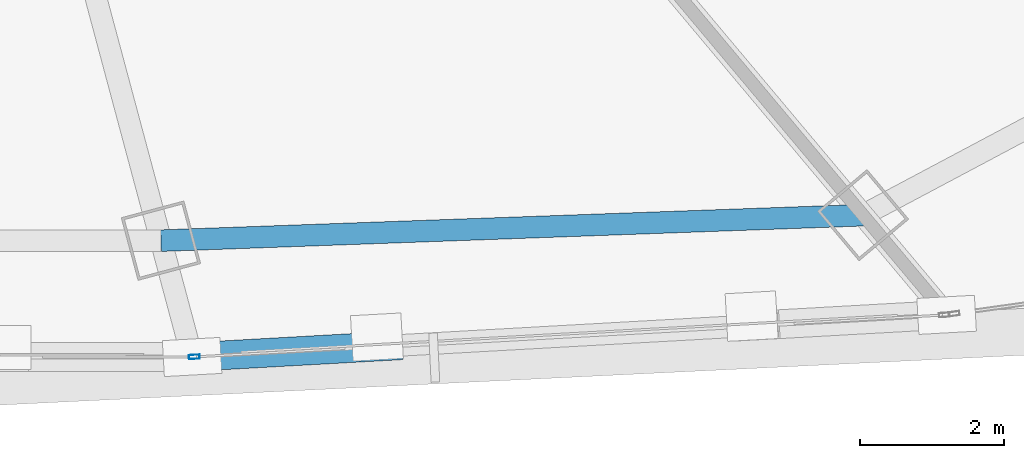
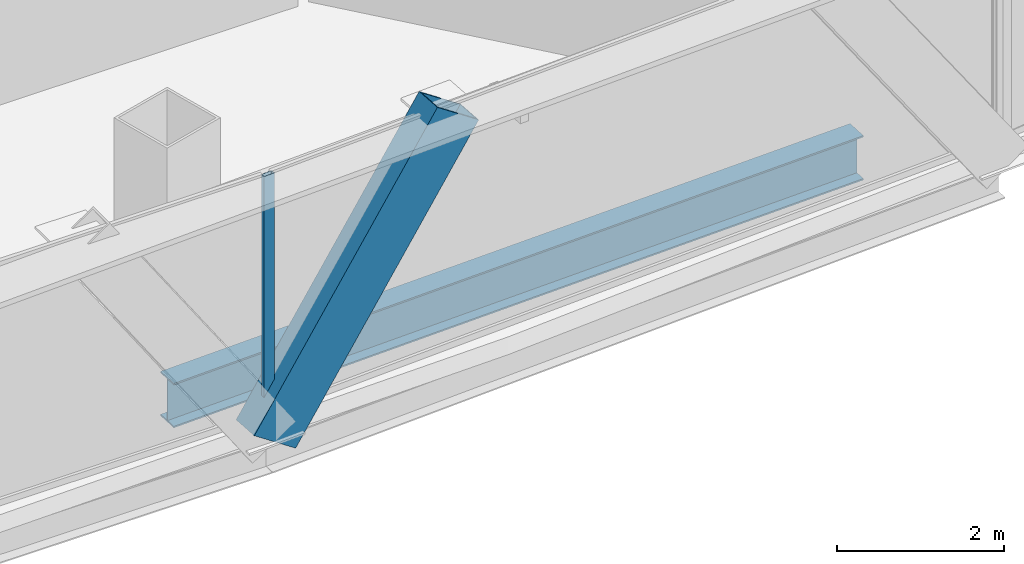
# One storey, part 12 of 37: 2 members, 1 beam, 1 element without a shape of its own.
"""IFC4 building model written with IfcOpenShell, lengths in metres."""

from ifc_helpers import new_model, si_unit, direction, frame, origin, origin_2d, place, context, subcontext, project, spatial, hollow_rectangle, i_section, extrude, source, transform, mapped, material, layer, layer_set, material_profile, profile_set, type_object, element, aggregate, save


model = new_model("IFC4")

# Units and contexts
model_context = context("Model", 3, precision=1e-05, world=origin(), true_north=direction((0.0, 1.0)))
body_context = subcontext(model_context, "Body", "Model", "MODEL_VIEW")
ifc_project = project(units=[si_unit("LENGTHUNIT", "METRE"), si_unit("AREAUNIT", "SQUARE_METRE"), si_unit("VOLUMEUNIT", "CUBIC_METRE"), si_unit("PLANEANGLEUNIT", "RADIAN"), si_unit("MASSUNIT", "GRAM", prefix="KILO"), si_unit("THERMODYNAMICTEMPERATUREUNIT", "KELVIN"), si_unit("POWERUNIT", "WATT")], contexts=[model_context])

# Site, building, storey
site_placement = place(None, origin())
site = spatial("IfcSite", under=ifc_project, at=site_placement, CompositionType="ELEMENT")
building_placement = place(site_placement, origin())
building = spatial("IfcBuilding", under=site, at=building_placement, Name="Yunzhuo Pagoda Commons", CompositionType="ELEMENT")
storey_placement = place(building_placement, frame((0.0, 0.0, 207.56005859375)))
storey = spatial("IfcBuildingStorey", under=building, at=storey_placement, Name="L52", CompositionType="ELEMENT", Elevation=207.56005859375)

# Beam
ifc_material_1 = material(Name="Structural steel Q355B", Category="steel")
ifc_material_profile_1 = material_profile(ifc_material_1, i_section(OverallWidth=0.300048828125, OverallDepth=0.64990234375, WebThickness=0.012939453125, FlangeThickness=0.02197265625, at=origin_2d()), Name="Structural steel Q355B")
ifc_profile_set_1 = profile_set([ifc_material_profile_1], Name="Structural steel Q355B")
beam_type = type_object("IfcBeamType", Name="B-RG2 Beam HN 650x300x13x22", PredefinedType="BEAM", material=ifc_profile_set_1)
shared_shape_1 = source(origin(), body_context, "Body", "SweptSolid", [
    extrude(i_section(OverallWidth=0.300048828125, OverallDepth=0.64990234375, WebThickness=0.012939453125, FlangeThickness=0.02197265625, at=origin_2d()), origin(), (0.0, 0.0, 1.0), 9.754638671875),
])
beam_placement = place(storey_placement, frame((52.712890625, 16.1123046875, -0.5849609375), z_axis=(0.999343095614, 0.036240547032, 0.0), x_axis=(-0.036240547032, 0.999343095614, 0.0)))
element("IfcBeam", 1, at=beam_placement, inside=storey, type_object=beam_type, Name="L52 column-ring beam 3", PredefinedType="BEAM", context=body_context, shape_type="MappedRepresentation", body=[
    mapped(shared_shape_1, transform((0.0, 0.0, 0.0), scale=1.0)),
])

# Member
ifc_material_profile_2 = material_profile(ifc_material_1, hollow_rectangle(XDim=0.39990234375, YDim=0.719970703125, WallThickness=0.02392578125, at=origin_2d()), Name="Structural steel Q355B")
ifc_profile_set_2 = profile_set([ifc_material_profile_2], Name="Structural steel Q355B")
member_type_1 = type_object("IfcMemberType", Name="M-DL2 Brace BOX 720x400x24", PredefinedType="BRACE", material=ifc_profile_set_2)
shared_shape_2 = source(origin(), body_context, "Body", "SweptSolid", [
    extrude(hollow_rectangle(XDim=0.39990234375, YDim=0.719970703125, WallThickness=0.02392578125, at=origin_2d()), origin(), (0.0, 0.0, 1.0), 4.617431640625),
])
member_1_placement = place(storey_placement, frame((53.1455078125, 14.496826171875, -0.260009765625), z_axis=(0.567213952118, 0.03177624769, 0.822957230119), x_axis=(-0.05593392227, 0.998434472732, 0.0)))
element("IfcMember", 2, at=member_1_placement, inside=storey, type_object=member_type_1, Name="L52 facade diamond brace F1.3L", PredefinedType="BRACE", context=body_context, shape_type="MappedRepresentation", body=[
    mapped(shared_shape_2, transform((0.0, 0.0, 0.0), scale=1.0)),
])

# Curtain wall, member
ifc_material_2 = material(Name="Anodized aluminium 6063-T6", Category="aluminium")
ifc_layer = layer(ifc_material_2, 0.14990234375)
ifc_layer_set = layer_set([ifc_layer], Name="Anodized aluminium 6063-T6")
curtain_wall_type = type_object("IfcCurtainWallType", Name="CW-MID Mid-Zone Ribbon Curtain Wall", PredefinedType="NOTDEFINED", material=ifc_layer_set)
curtain_wall_placement = place(storey_placement, origin())
curtain_wall = element("IfcCurtainWall", 3, at=curtain_wall_placement, inside=storey, type_object=curtain_wall_type, Name="L52 curtain wall CW-L52-F1B4", PredefinedType="NOTDEFINED")
ifc_material_profile_3 = material_profile(ifc_material_2, hollow_rectangle(XDim=0.06005859375, YDim=0.14990234375, WallThickness=0.00390625, at=origin_2d()), Name="Anodized aluminium 6063-T6")
ifc_profile_set_3 = profile_set([ifc_material_profile_3], Name="Anodized aluminium 6063-T6")
member_type_2 = type_object("IfcMemberType", Name="CW-MID-M Mullion RHS 150x60x4", PredefinedType="MULLION", material=ifc_profile_set_3)
shared_shape_3 = source(origin(), body_context, "Body", "SweptSolid", [
    extrude(hollow_rectangle(XDim=0.06005859375, YDim=0.14990234375, WallThickness=0.00390625, at=origin_2d()), origin(), (0.0, 0.0, 1.0), 3.5400390625),
])
member_2_placement = place(storey_placement, frame((53.175537109375, 14.49853515625, 0.0), z_axis=(0.0, 0.0, 1.0), x_axis=(-0.055819443993, 0.998440879408, 0.0)))
member_2 = element("IfcMember", 4, at=member_2_placement, type_object=member_type_2, Name="CW mullion 1", PredefinedType="MULLION", context=body_context, shape_type="MappedRepresentation", body=[
    mapped(shared_shape_3, transform((0.0, 0.0, 0.0), scale=1.0)),
])
aggregate(curtain_wall, [member_2])

save(model, "model.ifc")
